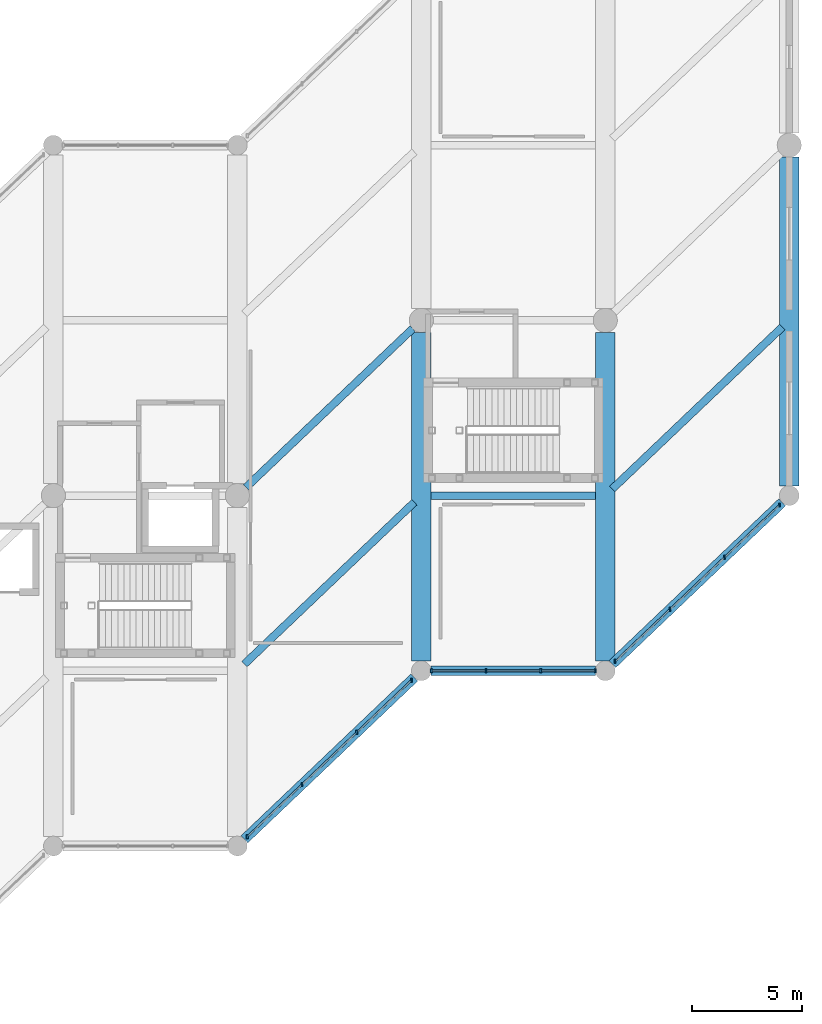
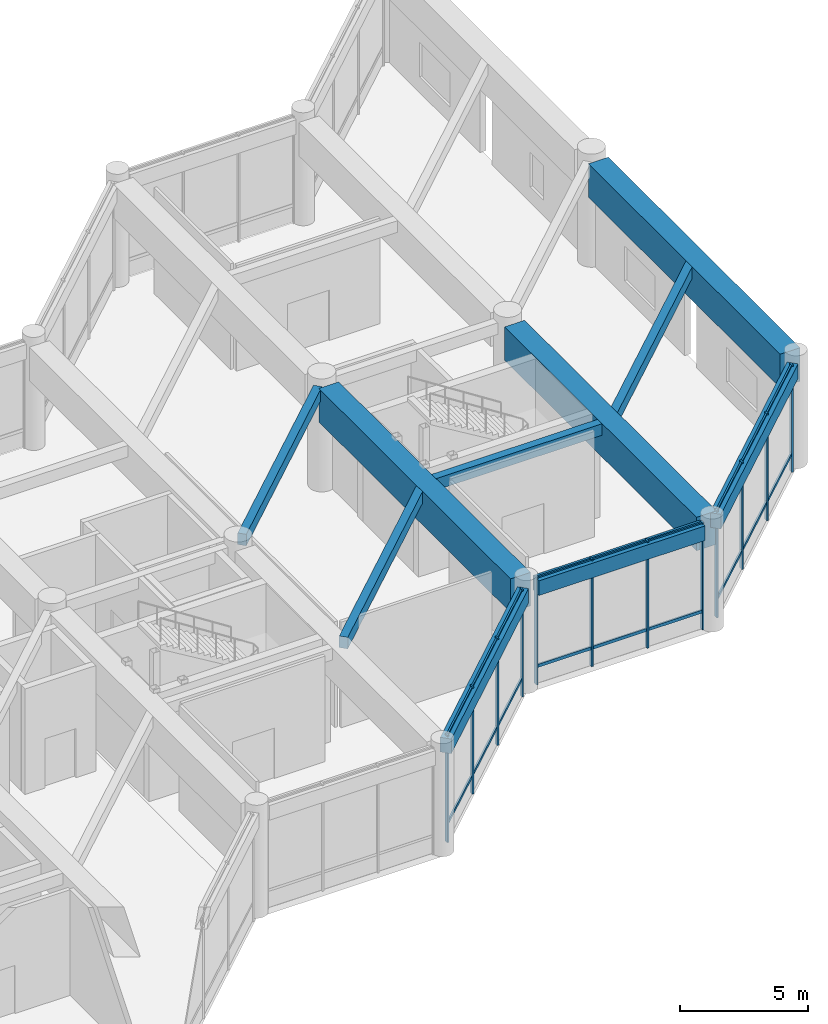
# One storey, part 45 of 79: 30 members, 10 beams, 3 elements without a shape of their own.
"""IFC4 building model written with IfcOpenShell, lengths in metres."""

from ifc_helpers import new_model, si_unit, direction, frame, origin, origin_2d, place, context, subcontext, project, spatial, rectangle, extrude, material, layer, layer_set, material_profile, profile_set, type_object, element, aggregate, save


model = new_model("IFC4")

# Units and contexts
model_context = context("Model", 3, precision=1e-05, world=origin(), true_north=direction((0.0, 1.0)))
body_context = subcontext(model_context, "Body", "Model", "MODEL_VIEW")
ifc_project = project(units=[si_unit("LENGTHUNIT", "METRE"), si_unit("AREAUNIT", "SQUARE_METRE"), si_unit("VOLUMEUNIT", "CUBIC_METRE"), si_unit("PLANEANGLEUNIT", "RADIAN"), si_unit("MASSUNIT", "GRAM", prefix="KILO")], contexts=[model_context])

# Site, building, storey
site_placement = place(None, origin())
site = spatial("IfcSite", under=ifc_project, at=site_placement, CompositionType="ELEMENT")
building_placement = place(site_placement, origin())
building = spatial("IfcBuilding", under=site, at=building_placement, Name="Naruveol Harbour Congress Hotel", CompositionType="ELEMENT")
storey_placement = place(building_placement, frame((0.0, 0.0, 6.0)))
storey = spatial("IfcBuildingStorey", under=building, at=storey_placement, Name="L01", CompositionType="ELEMENT", Elevation=6.0)

# Beams
ifc_material_1 = material(Name="Concrete C40/50", Category="concrete")
ifc_material_profile_1 = material_profile(ifc_material_1, rectangle(XDim=0.35009765625, YDim=0.550048828125, at=origin_2d()), Name="RCB-350x550")
ifc_profile_set_1 = profile_set([ifc_material_profile_1], Name="Concrete C40/50")
beam_type_1 = type_object("IfcBeamType", Name="RC SECONDARY BEAM 350X550", PredefinedType="JOIST", material=ifc_profile_set_1)
beam_1_placement = place(storey_placement, frame((159.919189453125, 16.30419921875, 4.77490234375), z_axis=(0.724150931708, 0.689641521449, 0.0), x_axis=(-0.689641521449, 0.724150931708, 0.0)))
element("IfcBeam", 1, at=beam_1_placement, inside=storey, type_object=beam_type_1, Name="Hotel chord beam L02 CJ1", PredefinedType="JOIST", context=body_context, shape_type="SweptSolid", body=[
    extrude(rectangle(XDim=0.35009765625, YDim=0.550048828125, at=origin_2d()), origin(), (0.0, 0.0, 1.0), 10.718017578125),
])
beam_2_placement = place(storey_placement, frame((159.995361328125, 24.376708984375, 4.77490234375), z_axis=(0.724147876737, 0.689644729275, 0.0), x_axis=(-0.689644729275, 0.724147876737, 0.0)))
element("IfcBeam", 2, at=beam_2_placement, inside=storey, type_object=beam_type_1, Name="Hotel chord beam L02 CJ1", PredefinedType="JOIST", context=body_context, shape_type="SweptSolid", body=[
    extrude(rectangle(XDim=0.35009765625, YDim=0.550048828125, at=origin_2d()), origin(), (0.0, 0.0, 1.0), 10.5078125),
])
beam_3_placement = place(storey_placement, frame((168.44091796875, 24.0, 4.77490234375), z_axis=(1.0, 0.0, 0.0), x_axis=(0.0, 1.0, 0.0)))
element("IfcBeam", 3, at=beam_3_placement, inside=storey, type_object=beam_type_1, Name="Hotel chord beam L02 CJ1", PredefinedType="JOIST", context=body_context, shape_type="SweptSolid", body=[
    extrude(rectangle(XDim=0.35009765625, YDim=0.550048828125, at=origin_2d()), origin(), (0.0, 0.0, 1.0), 7.51806640625),
])
beam_4_placement = place(storey_placement, frame((176.71923828125, 24.30419921875, 4.77490234375), z_axis=(0.724150931708, 0.689641521449, 0.0), x_axis=(-0.689641521449, 0.724150931708, 0.0)))
element("IfcBeam", 4, at=beam_4_placement, inside=storey, type_object=beam_type_1, Name="Hotel chord beam L02 CJ1", PredefinedType="JOIST", context=body_context, shape_type="SweptSolid", body=[
    extrude(rectangle(XDim=0.35009765625, YDim=0.550048828125, at=origin_2d()), origin(), (0.0, 0.0, 1.0), 10.718017578125),
])
ifc_material_2 = material(Name="Concrete C40/50", Category="concrete")
ifc_material_profile_2 = material_profile(ifc_material_2, rectangle(XDim=0.449951171875, YDim=0.699951171875, at=origin_2d()), Name="RCB-450x700")
ifc_profile_set_2 = profile_set([ifc_material_profile_2], Name="Concrete C40/50")
beam_type_2 = type_object("IfcBeamType", Name="RC SPANDREL BEAM 450X700", PredefinedType="SPANDREL", material=ifc_profile_set_2)
beam_5_placement = place(storey_placement, frame((159.923095703125, 8.3076171875, 4.699951171875), z_axis=(0.724133593293, 0.689659727013, 0.0), x_axis=(-0.689659727013, 0.724133593293, 0.0)))
element("IfcBeam", 5, at=beam_5_placement, inside=storey, type_object=beam_type_2, Name="Hotel chord beam L02 SPB1", PredefinedType="SPANDREL", context=body_context, shape_type="SweptSolid", body=[
    extrude(rectangle(XDim=0.449951171875, YDim=0.699951171875, at=origin_2d()), origin(), (0.0, 0.0, 1.0), 10.707763671875),
])
beam_6_placement = place(storey_placement, frame((168.446044921875, 16.0, 4.699951171875), z_axis=(1.0, 0.0, 0.0), x_axis=(0.0, 1.0, 0.0)))
element("IfcBeam", 6, at=beam_6_placement, inside=storey, type_object=beam_type_2, Name="Hotel chord beam L02 SPB1", PredefinedType="SPANDREL", context=body_context, shape_type="SweptSolid", body=[
    extrude(rectangle(XDim=0.449951171875, YDim=0.699951171875, at=origin_2d()), origin(), (0.0, 0.0, 1.0), 7.508056640625),
])
beam_7_placement = place(storey_placement, frame((176.722900390625, 16.3076171875, 4.699951171875), z_axis=(0.724144437485, 0.689648340576, 0.0), x_axis=(-0.689648340576, 0.724144437485, 0.0)))
element("IfcBeam", 7, at=beam_7_placement, inside=storey, type_object=beam_type_2, Name="Hotel chord beam L02 SPB1", PredefinedType="SPANDREL", context=body_context, shape_type="SweptSolid", body=[
    extrude(rectangle(XDim=0.449951171875, YDim=0.699951171875, at=origin_2d()), origin(), (0.0, 0.0, 1.0), 10.7080078125),
])
ifc_material_3 = material(Name="Concrete C50/60", Category="concrete")
ifc_material_profile_3 = material_profile(ifc_material_3, rectangle(XDim=0.89990234375, YDim=1.60009765625, at=origin_2d()), Name="RCB-900x1600")
ifc_profile_set_3 = profile_set([ifc_material_profile_3], Name="Concrete C50/60")
beam_type_3 = type_object("IfcBeamType", Name="RC TRANSFER GIRDER 900X1600", PredefinedType="BEAM", material=ifc_profile_set_3)
for number, where, z_axis, x_axis, name in (
    (8, (168.0, 16.446044921875, 4.25), (0.0, 1.0, 0.0), (-1.0, 0.0, 0.0), "Hotel L02 transfer girder S6 TG1"),
    (9, (176.39990234375, 16.446044921875, 4.25), (0.0, 1.0, 0.0), (-1.0, 0.0, 0.0), "Hotel L02 transfer girder S7 TG1"),
    (10, (184.800048828125, 24.446044921875, 4.25), (0.0, 1.0, 0.0), (-1.0, 0.0, 0.0), "Hotel L02 transfer girder S8 TG1"),
):
    element("IfcBeam", number, at=place(storey_placement, frame(where, z_axis=z_axis, x_axis=x_axis)), inside=storey, type_object=beam_type_3, Name=name, PredefinedType="BEAM", context=body_context, shape_type="SweptSolid", body=[
        extrude(rectangle(XDim=0.89990234375, YDim=1.60009765625, at=origin_2d()), origin(), (0.0, 0.0, 1.0), 15.008056640625),
    ])

# Curtain wall, members
ifc_material_4 = material(Name="Low-E Curtain Wall System", Category="glass")
ifc_layer_1 = layer(ifc_material_4, 0.179931640625)
ifc_layer_set_1 = layer_set([ifc_layer_1], Name="Low-E Curtain Wall System")
curtain_wall_type_1 = type_object("IfcCurtainWallType", Name="UNITISED CURTAIN WALL CW-V5S-52 10357X5120", PredefinedType="USERDEFINED", material=ifc_layer_set_1)
curtain_wall_1_placement = place(storey_placement, origin())
curtain_wall_1 = element("IfcCurtainWall", 11, at=curtain_wall_1_placement, inside=storey, type_object=curtain_wall_type_1, Name="Unitised curtain wall CW-V5S-52 L01", ObjectType="UNITISED GLAZING", PredefinedType="USERDEFINED")
ifc_material_5 = material(Name="Anodised Aluminium 6063-T6", Category="aluminium")
ifc_material_profile_4 = material_profile(ifc_material_5, rectangle(XDim=0.074951171875, YDim=0.179931640625, at=origin_2d()), Name="ALU-75x180")
ifc_profile_set_4 = profile_set([ifc_material_profile_4], Name="Anodised Aluminium 6063-T6")
member_type_1 = type_object("IfcMemberType", Name="THERMAL ALUMINIUM MULLION 75X180", PredefinedType="MULLION", material=ifc_profile_set_4)
member_1_placement = place(storey_placement, frame((167.550048828125, 15.571044921875, 0.0), z_axis=(0.0, 0.0, 1.0), x_axis=(1.0, 0.0, 0.0)))
member_1 = element("IfcMember", 12, at=member_1_placement, type_object=member_type_1, Name="Curtain wall mullion CW-L01-0145-M0", PredefinedType="MULLION", context=body_context, shape_type="SweptSolid", body=[
    extrude(rectangle(XDim=0.074951171875, YDim=0.179931640625, at=origin_2d()), origin(), (0.0, 0.0, 1.0), 5.1201171875),
])
member_2_placement = place(storey_placement, frame((165.050048828125, 13.190185546875, 0.0), z_axis=(0.0, 0.0, 1.0), x_axis=(1.0, 0.0, 0.0)))
member_2 = element("IfcMember", 13, at=member_2_placement, type_object=member_type_1, Name="Curtain wall mullion CW-L01-0145-M1", PredefinedType="MULLION", context=body_context, shape_type="SweptSolid", body=[
    extrude(rectangle(XDim=0.074951171875, YDim=0.179931640625, at=origin_2d()), origin(), (0.0, 0.0, 1.0), 5.1201171875),
])
member_3_placement = place(storey_placement, frame((162.550048828125, 10.809814453125, 0.0), z_axis=(0.0, 0.0, 1.0), x_axis=(1.0, 0.0, 0.0)))
member_3 = element("IfcMember", 14, at=member_3_placement, type_object=member_type_1, Name="Curtain wall mullion CW-L01-0145-M2", PredefinedType="MULLION", context=body_context, shape_type="SweptSolid", body=[
    extrude(rectangle(XDim=0.074951171875, YDim=0.179931640625, at=origin_2d()), origin(), (0.0, 0.0, 1.0), 5.1201171875),
])
member_4_placement = place(storey_placement, frame((160.050048828125, 8.428955078125, 0.0), z_axis=(0.0, 0.0, 1.0), x_axis=(1.0, 0.0, 0.0)))
member_4 = element("IfcMember", 15, at=member_4_placement, type_object=member_type_1, Name="Curtain wall mullion CW-L01-0145-M3", PredefinedType="MULLION", context=body_context, shape_type="SweptSolid", body=[
    extrude(rectangle(XDim=0.074951171875, YDim=0.179931640625, at=origin_2d()), origin(), (0.0, 0.0, 1.0), 5.1201171875),
])

ifc_material_6 = material(Name="Low-E Curtain Wall System", Category="glass")
ifc_layer_2 = layer(ifc_material_6, 0.179931640625)
ifc_layer_set_2 = layer_set([ifc_layer_2], Name="Low-E Curtain Wall System")
curtain_wall_type_2 = type_object("IfcCurtainWallType", Name="UNITISED CURTAIN WALL CW-V5S-50 7500X5120", PredefinedType="USERDEFINED", material=ifc_layer_set_2)
curtain_wall_2_placement = place(storey_placement, origin())
curtain_wall_2 = element("IfcCurtainWall", 16, at=curtain_wall_2_placement, inside=storey, type_object=curtain_wall_type_2, Name="Unitised curtain wall CW-V5S-50 L01", ObjectType="UNITISED GLAZING", PredefinedType="USERDEFINED")
member_5_placement = place(storey_placement, frame((175.949951171875, 16.0, 0.0), z_axis=(0.0, 0.0, 1.0), x_axis=(1.0, 0.0, 0.0)))
member_5 = element("IfcMember", 17, at=member_5_placement, type_object=member_type_1, Name="Curtain wall mullion CW-L01-0147-M0", PredefinedType="MULLION", context=body_context, shape_type="SweptSolid", body=[
    extrude(rectangle(XDim=0.074951171875, YDim=0.179931640625, at=origin_2d()), origin(), (0.0, 0.0, 1.0), 5.1201171875),
])
member_6_placement = place(storey_placement, frame((173.449951171875, 16.0, 0.0), z_axis=(0.0, 0.0, 1.0), x_axis=(1.0, 0.0, 0.0)))
member_6 = element("IfcMember", 18, at=member_6_placement, type_object=member_type_1, Name="Curtain wall mullion CW-L01-0147-M1", PredefinedType="MULLION", context=body_context, shape_type="SweptSolid", body=[
    extrude(rectangle(XDim=0.074951171875, YDim=0.179931640625, at=origin_2d()), origin(), (0.0, 0.0, 1.0), 5.1201171875),
])
member_7_placement = place(storey_placement, frame((170.949951171875, 16.0, 0.0), z_axis=(0.0, 0.0, 1.0), x_axis=(1.0, 0.0, 0.0)))
member_7 = element("IfcMember", 19, at=member_7_placement, type_object=member_type_1, Name="Curtain wall mullion CW-L01-0147-M2", PredefinedType="MULLION", context=body_context, shape_type="SweptSolid", body=[
    extrude(rectangle(XDim=0.074951171875, YDim=0.179931640625, at=origin_2d()), origin(), (0.0, 0.0, 1.0), 5.1201171875),
])
member_8_placement = place(storey_placement, frame((168.449951171875, 16.0, 0.0), z_axis=(0.0, 0.0, 1.0), x_axis=(1.0, 0.0, 0.0)))
member_8 = element("IfcMember", 20, at=member_8_placement, type_object=member_type_1, Name="Curtain wall mullion CW-L01-0147-M3", PredefinedType="MULLION", context=body_context, shape_type="SweptSolid", body=[
    extrude(rectangle(XDim=0.074951171875, YDim=0.179931640625, at=origin_2d()), origin(), (0.0, 0.0, 1.0), 5.1201171875),
])

curtain_wall_3_placement = place(storey_placement, origin())
curtain_wall_3 = element("IfcCurtainWall", 21, at=curtain_wall_3_placement, inside=storey, type_object=curtain_wall_type_1, Name="Unitised curtain wall CW-V5S-52 L01", ObjectType="UNITISED GLAZING", PredefinedType="USERDEFINED")
member_9_placement = place(storey_placement, frame((184.35009765625, 23.571044921875, 0.0), z_axis=(0.0, 0.0, 1.0), x_axis=(1.0, 0.0, 0.0)))
member_9 = element("IfcMember", 22, at=member_9_placement, type_object=member_type_1, Name="Curtain wall mullion CW-L01-0149-M0", PredefinedType="MULLION", context=body_context, shape_type="SweptSolid", body=[
    extrude(rectangle(XDim=0.074951171875, YDim=0.179931640625, at=origin_2d()), origin(), (0.0, 0.0, 1.0), 5.1201171875),
])
member_10_placement = place(storey_placement, frame((181.85009765625, 21.190185546875, 0.0), z_axis=(0.0, 0.0, 1.0), x_axis=(1.0, 0.0, 0.0)))
member_10 = element("IfcMember", 23, at=member_10_placement, type_object=member_type_1, Name="Curtain wall mullion CW-L01-0149-M1", PredefinedType="MULLION", context=body_context, shape_type="SweptSolid", body=[
    extrude(rectangle(XDim=0.074951171875, YDim=0.179931640625, at=origin_2d()), origin(), (0.0, 0.0, 1.0), 5.1201171875),
])
member_11_placement = place(storey_placement, frame((179.35009765625, 18.809814453125, 0.0), z_axis=(0.0, 0.0, 1.0), x_axis=(1.0, 0.0, 0.0)))
member_11 = element("IfcMember", 24, at=member_11_placement, type_object=member_type_1, Name="Curtain wall mullion CW-L01-0149-M2", PredefinedType="MULLION", context=body_context, shape_type="SweptSolid", body=[
    extrude(rectangle(XDim=0.074951171875, YDim=0.179931640625, at=origin_2d()), origin(), (0.0, 0.0, 1.0), 5.1201171875),
])
member_12_placement = place(storey_placement, frame((176.85009765625, 16.428955078125, 0.0), z_axis=(0.0, 0.0, 1.0), x_axis=(1.0, 0.0, 0.0)))
member_12 = element("IfcMember", 25, at=member_12_placement, type_object=member_type_1, Name="Curtain wall mullion CW-L01-0149-M3", PredefinedType="MULLION", context=body_context, shape_type="SweptSolid", body=[
    extrude(rectangle(XDim=0.074951171875, YDim=0.179931640625, at=origin_2d()), origin(), (0.0, 0.0, 1.0), 5.1201171875),
])

# Member
ifc_material_7 = material(Name="Anodised Aluminium 6063-T6", Category="aluminium")
ifc_material_profile_5 = material_profile(ifc_material_7, rectangle(XDim=0.074951171875, YDim=0.14990234375, at=origin_2d()), Name="ALU-75x150")
ifc_profile_set_5 = profile_set([ifc_material_profile_5], Name="Anodised Aluminium 6063-T6")
member_type_2 = type_object("IfcMemberType", Name="THERMAL ALUMINIUM TRANSOM 75X150", PredefinedType="USERDEFINED", material=ifc_profile_set_5)
member_13_placement = place(storey_placement, frame((167.52099609375, 15.54345703125, 0.85009765625), z_axis=(-0.7241637576, -0.689628053503, 0.0), x_axis=(0.689628053503, -0.7241637576, 0.0)))
member_13 = element("IfcMember", 26, at=member_13_placement, type_object=member_type_2, Name="Curtain wall transom CW-L01-0145-T0.1", ObjectType="TRANSOM", PredefinedType="USERDEFINED", context=body_context, shape_type="SweptSolid", body=[
    extrude(rectangle(XDim=0.074951171875, YDim=0.14990234375, at=origin_2d()), origin(), (0.0, 0.0, 1.0), 3.3720703125),
])

member_14_placement = place(storey_placement, frame((167.52099609375, 15.54345703125, 5.0400390625), z_axis=(-0.7241637576, -0.689628053503, 0.0), x_axis=(0.689628053503, -0.7241637576, 0.0)))
member_14 = element("IfcMember", 27, at=member_14_placement, type_object=member_type_2, Name="Curtain wall transom CW-L01-0145-T0.2", ObjectType="TRANSOM", PredefinedType="USERDEFINED", context=body_context, shape_type="SweptSolid", body=[
    extrude(rectangle(XDim=0.074951171875, YDim=0.14990234375, at=origin_2d()), origin(), (0.0, 0.0, 1.0), 3.3720703125),
])

member_15_placement = place(storey_placement, frame((165.02099609375, 13.162841796875, 0.85009765625), z_axis=(-0.72412760064, -0.689666019166, 0.0), x_axis=(0.689666019166, -0.72412760064, 0.0)))
member_15 = element("IfcMember", 28, at=member_15_placement, type_object=member_type_2, Name="Curtain wall transom CW-L01-0145-T1.1", ObjectType="TRANSOM", PredefinedType="USERDEFINED", context=body_context, shape_type="SweptSolid", body=[
    extrude(rectangle(XDim=0.074951171875, YDim=0.14990234375, at=origin_2d()), origin(), (0.0, 0.0, 1.0), 3.3720703125),
])

member_16_placement = place(storey_placement, frame((165.02099609375, 13.162841796875, 5.0400390625), z_axis=(-0.72412760064, -0.689666019166, 0.0), x_axis=(0.689666019166, -0.72412760064, 0.0)))
member_16 = element("IfcMember", 29, at=member_16_placement, type_object=member_type_2, Name="Curtain wall transom CW-L01-0145-T1.2", ObjectType="TRANSOM", PredefinedType="USERDEFINED", context=body_context, shape_type="SweptSolid", body=[
    extrude(rectangle(XDim=0.074951171875, YDim=0.14990234375, at=origin_2d()), origin(), (0.0, 0.0, 1.0), 3.3720703125),
])

member_17_placement = place(storey_placement, frame((162.52099609375, 10.781982421875, 0.85009765625), z_axis=(-0.7241637576, -0.689628053503, 0.0), x_axis=(0.689628053503, -0.7241637576, 0.0)))
member_17 = element("IfcMember", 30, at=member_17_placement, type_object=member_type_2, Name="Curtain wall transom CW-L01-0145-T2.1", ObjectType="TRANSOM", PredefinedType="USERDEFINED", context=body_context, shape_type="SweptSolid", body=[
    extrude(rectangle(XDim=0.074951171875, YDim=0.14990234375, at=origin_2d()), origin(), (0.0, 0.0, 1.0), 3.3720703125),
])

member_18_placement = place(storey_placement, frame((162.52099609375, 10.781982421875, 5.0400390625), z_axis=(-0.7241637576, -0.689628053503, 0.0), x_axis=(0.689628053503, -0.7241637576, 0.0)))
member_18 = element("IfcMember", 31, at=member_18_placement, type_object=member_type_2, Name="Curtain wall transom CW-L01-0145-T2.2", ObjectType="TRANSOM", PredefinedType="USERDEFINED", context=body_context, shape_type="SweptSolid", body=[
    extrude(rectangle(XDim=0.074951171875, YDim=0.14990234375, at=origin_2d()), origin(), (0.0, 0.0, 1.0), 3.3720703125),
])

aggregate(curtain_wall_1, [member_1, member_2, member_3, member_4, member_13, member_14, member_15, member_16, member_17, member_18])

member_19_placement = place(storey_placement, frame((175.909912109375, 16.0, 0.85009765625), z_axis=(-1.0, 0.0, 0.0), x_axis=(0.0, -1.0, 0.0)))
member_19 = element("IfcMember", 32, at=member_19_placement, type_object=member_type_2, Name="Curtain wall transom CW-L01-0147-T0.1", ObjectType="TRANSOM", PredefinedType="USERDEFINED", context=body_context, shape_type="SweptSolid", body=[
    extrude(rectangle(XDim=0.074951171875, YDim=0.14990234375, at=origin_2d()), origin(), (0.0, 0.0, 1.0), 2.419921875),
])

member_20_placement = place(storey_placement, frame((175.909912109375, 16.0, 5.0400390625), z_axis=(-1.0, 0.0, 0.0), x_axis=(0.0, -1.0, 0.0)))
member_20 = element("IfcMember", 33, at=member_20_placement, type_object=member_type_2, Name="Curtain wall transom CW-L01-0147-T0.2", ObjectType="TRANSOM", PredefinedType="USERDEFINED", context=body_context, shape_type="SweptSolid", body=[
    extrude(rectangle(XDim=0.074951171875, YDim=0.14990234375, at=origin_2d()), origin(), (0.0, 0.0, 1.0), 2.419921875),
])

member_21_placement = place(storey_placement, frame((173.409912109375, 16.0, 0.85009765625), z_axis=(-1.0, 0.0, 0.0), x_axis=(0.0, -1.0, 0.0)))
member_21 = element("IfcMember", 34, at=member_21_placement, type_object=member_type_2, Name="Curtain wall transom CW-L01-0147-T1.1", ObjectType="TRANSOM", PredefinedType="USERDEFINED", context=body_context, shape_type="SweptSolid", body=[
    extrude(rectangle(XDim=0.074951171875, YDim=0.14990234375, at=origin_2d()), origin(), (0.0, 0.0, 1.0), 2.419921875),
])

member_22_placement = place(storey_placement, frame((173.409912109375, 16.0, 5.0400390625), z_axis=(-1.0, 0.0, 0.0), x_axis=(0.0, -1.0, 0.0)))
member_22 = element("IfcMember", 35, at=member_22_placement, type_object=member_type_2, Name="Curtain wall transom CW-L01-0147-T1.2", ObjectType="TRANSOM", PredefinedType="USERDEFINED", context=body_context, shape_type="SweptSolid", body=[
    extrude(rectangle(XDim=0.074951171875, YDim=0.14990234375, at=origin_2d()), origin(), (0.0, 0.0, 1.0), 2.419921875),
])

member_23_placement = place(storey_placement, frame((170.909912109375, 16.0, 0.85009765625), z_axis=(-1.0, 0.0, 0.0), x_axis=(0.0, -1.0, 0.0)))
member_23 = element("IfcMember", 36, at=member_23_placement, type_object=member_type_2, Name="Curtain wall transom CW-L01-0147-T2.1", ObjectType="TRANSOM", PredefinedType="USERDEFINED", context=body_context, shape_type="SweptSolid", body=[
    extrude(rectangle(XDim=0.074951171875, YDim=0.14990234375, at=origin_2d()), origin(), (0.0, 0.0, 1.0), 2.419921875),
])

member_24_placement = place(storey_placement, frame((170.909912109375, 16.0, 5.0400390625), z_axis=(-1.0, 0.0, 0.0), x_axis=(0.0, -1.0, 0.0)))
member_24 = element("IfcMember", 37, at=member_24_placement, type_object=member_type_2, Name="Curtain wall transom CW-L01-0147-T2.2", ObjectType="TRANSOM", PredefinedType="USERDEFINED", context=body_context, shape_type="SweptSolid", body=[
    extrude(rectangle(XDim=0.074951171875, YDim=0.14990234375, at=origin_2d()), origin(), (0.0, 0.0, 1.0), 2.419921875),
])

aggregate(curtain_wall_2, [member_5, member_6, member_7, member_8, member_19, member_20, member_21, member_22, member_23, member_24])

member_25_placement = place(storey_placement, frame((184.321044921875, 23.54345703125, 0.85009765625), z_axis=(-0.724198188282, -0.689591896769, 0.0), x_axis=(0.689591896769, -0.724198188282, 0.0)))
member_25 = element("IfcMember", 38, at=member_25_placement, type_object=member_type_2, Name="Curtain wall transom CW-L01-0149-T0.1", ObjectType="TRANSOM", PredefinedType="USERDEFINED", context=body_context, shape_type="SweptSolid", body=[
    extrude(rectangle(XDim=0.074951171875, YDim=0.14990234375, at=origin_2d()), origin(), (0.0, 0.0, 1.0), 3.372314453125),
])

member_26_placement = place(storey_placement, frame((184.321044921875, 23.54345703125, 5.0400390625), z_axis=(-0.724198188282, -0.689591896769, 0.0), x_axis=(0.689591896769, -0.724198188282, 0.0)))
member_26 = element("IfcMember", 39, at=member_26_placement, type_object=member_type_2, Name="Curtain wall transom CW-L01-0149-T0.2", ObjectType="TRANSOM", PredefinedType="USERDEFINED", context=body_context, shape_type="SweptSolid", body=[
    extrude(rectangle(XDim=0.074951171875, YDim=0.14990234375, at=origin_2d()), origin(), (0.0, 0.0, 1.0), 3.372314453125),
])

member_27_placement = place(storey_placement, frame((181.821044921875, 21.162841796875, 0.85009765625), z_axis=(-0.724162033393, -0.689629864051, 0.0), x_axis=(0.689629864051, -0.724162033393, 0.0)))
member_27 = element("IfcMember", 40, at=member_27_placement, type_object=member_type_2, Name="Curtain wall transom CW-L01-0149-T1.1", ObjectType="TRANSOM", PredefinedType="USERDEFINED", context=body_context, shape_type="SweptSolid", body=[
    extrude(rectangle(XDim=0.074951171875, YDim=0.14990234375, at=origin_2d()), origin(), (0.0, 0.0, 1.0), 3.372314453125),
])

member_28_placement = place(storey_placement, frame((181.821044921875, 21.162841796875, 5.0400390625), z_axis=(-0.724162033393, -0.689629864051, 0.0), x_axis=(0.689629864051, -0.724162033393, 0.0)))
member_28 = element("IfcMember", 41, at=member_28_placement, type_object=member_type_2, Name="Curtain wall transom CW-L01-0149-T1.2", ObjectType="TRANSOM", PredefinedType="USERDEFINED", context=body_context, shape_type="SweptSolid", body=[
    extrude(rectangle(XDim=0.074951171875, YDim=0.14990234375, at=origin_2d()), origin(), (0.0, 0.0, 1.0), 3.372314453125),
])

member_29_placement = place(storey_placement, frame((179.321044921875, 18.781982421875, 0.85009765625), z_axis=(-0.724198188282, -0.689591896769, 0.0), x_axis=(0.689591896769, -0.724198188282, 0.0)))
member_29 = element("IfcMember", 42, at=member_29_placement, type_object=member_type_2, Name="Curtain wall transom CW-L01-0149-T2.1", ObjectType="TRANSOM", PredefinedType="USERDEFINED", context=body_context, shape_type="SweptSolid", body=[
    extrude(rectangle(XDim=0.074951171875, YDim=0.14990234375, at=origin_2d()), origin(), (0.0, 0.0, 1.0), 3.372314453125),
])

member_30_placement = place(storey_placement, frame((179.321044921875, 18.781982421875, 5.0400390625), z_axis=(-0.724198188282, -0.689591896769, 0.0), x_axis=(0.689591896769, -0.724198188282, 0.0)))
member_30 = element("IfcMember", 43, at=member_30_placement, type_object=member_type_2, Name="Curtain wall transom CW-L01-0149-T2.2", ObjectType="TRANSOM", PredefinedType="USERDEFINED", context=body_context, shape_type="SweptSolid", body=[
    extrude(rectangle(XDim=0.074951171875, YDim=0.14990234375, at=origin_2d()), origin(), (0.0, 0.0, 1.0), 3.372314453125),
])

aggregate(curtain_wall_3, [member_9, member_10, member_11, member_12, member_25, member_26, member_27, member_28, member_29, member_30])

save(model, "model.ifc")
